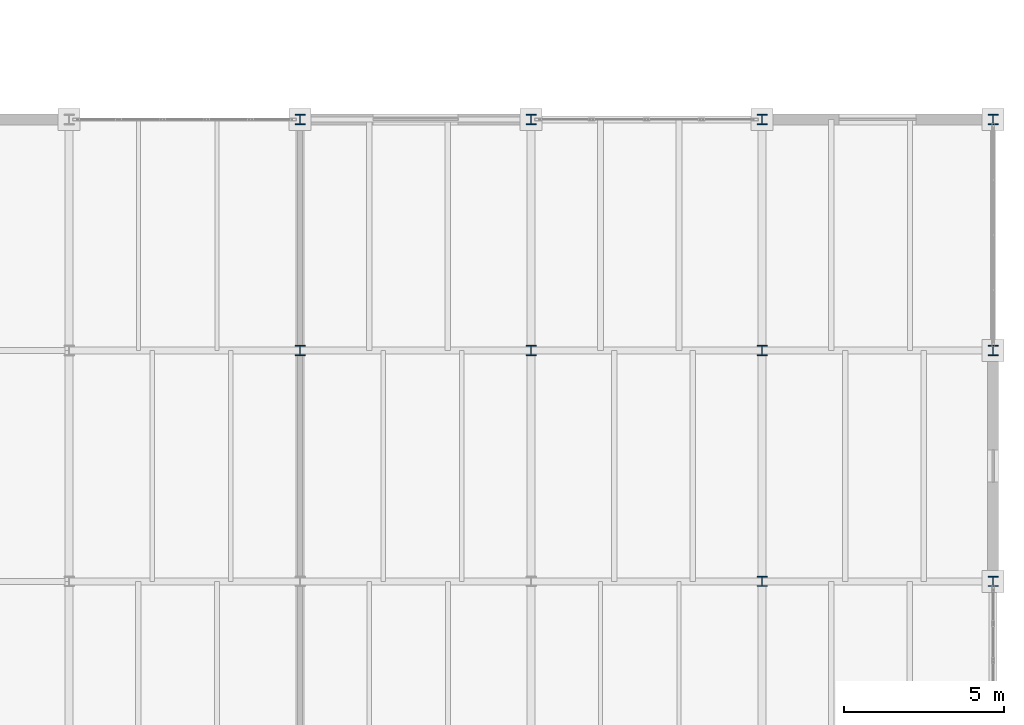
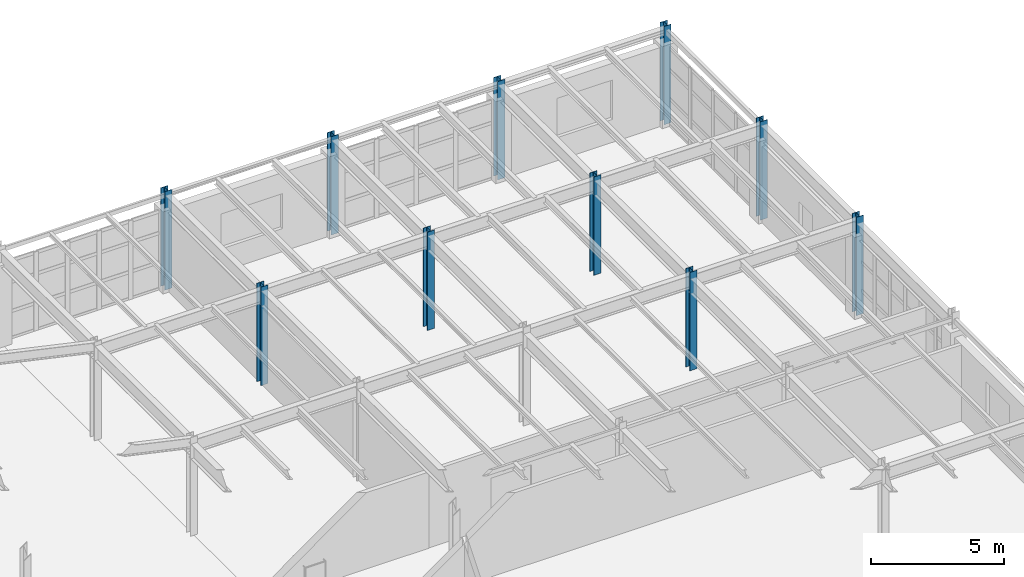
# One storey, part 18 of 137: 10 columns.
"""IFC4 building model written with IfcOpenShell, lengths in metres."""

from ifc_helpers import new_model, si_unit, direction, frame, origin, origin_2d, place, context, subcontext, project, spatial, i_section, extrude, material, material_profile, profile_set, type_object, element, save


model = new_model("IFC4")

# Units and contexts
model_context = context("Model", 3, precision=1e-05, world=origin(), true_north=direction((0.0, 1.0)))
body_context = subcontext(model_context, "Body", "Model", "MODEL_VIEW")
ifc_project = project(units=[si_unit("LENGTHUNIT", "METRE"), si_unit("AREAUNIT", "SQUARE_METRE"), si_unit("VOLUMEUNIT", "CUBIC_METRE"), si_unit("PLANEANGLEUNIT", "RADIAN"), si_unit("MASSUNIT", "GRAM", prefix="KILO")], contexts=[model_context])

# Site, building, storey
site_placement = place(None, origin())
site = spatial("IfcSite", under=ifc_project, at=site_placement, CompositionType="ELEMENT")
building_placement = place(site_placement, origin())
building = spatial("IfcBuilding", under=site, at=building_placement, Name="Kemerveld Promenade Tramway Depot", CompositionType="ELEMENT")
storey_placement = place(building_placement, frame((0.0, 0.0, 5.39990234375)))
storey = spatial("IfcBuildingStorey", under=building, at=storey_placement, Name="L01", CompositionType="ELEMENT", Elevation=5.39990234375)

# Columns
ifc_material = material(Name="Steel S355", Category="steel")
ifc_material_profile = material_profile(ifc_material, i_section(OverallWidth=0.307373046875, OverallDepth=0.314453125, WebThickness=0.011962890625, FlangeThickness=0.018798828125, FilletRadius=0.01513671875, at=origin_2d()), Name="305x305x118 UC")
ifc_profile_set = profile_set([ifc_material_profile], Name="Steel S355")
column_type = type_object("IfcColumnType", Name="COL-S06", PredefinedType="COLUMN", material=ifc_profile_set)
for number, where, z_axis, x_axis, name in (
    (1, (194.39990234375, 43.199951171875, 0.0), (0.0, 0.0, 1.0), (1.0, 0.0, 0.0), "COL-L01-28-G"),
    (2, (194.39990234375, 50.39990234375, 0.0), (0.0, 0.0, 1.0), (1.0, 0.0, 0.0), "COL-L01-28-H"),
    (3, (201.60009765625, 43.199951171875, 0.0), (0.0, 0.0, 1.0), (1.0, 0.0, 0.0), "COL-L01-29-G"),
    (4, (201.60009765625, 50.39990234375, 0.0), (0.0, 0.0, 1.0), (1.0, 0.0, 0.0), "COL-L01-29-H"),
    (5, (208.800048828125, 36.0, 0.0), (0.0, 0.0, 1.0), (1.0, 0.0, 0.0), "COL-L01-30-F"),
    (6, (208.800048828125, 43.199951171875, 0.0), (0.0, 0.0, 1.0), (1.0, 0.0, 0.0), "COL-L01-30-G"),
    (7, (208.800048828125, 50.39990234375, 0.0), (0.0, 0.0, 1.0), (1.0, 0.0, 0.0), "COL-L01-30-H"),
    (8, (216.0, 36.0, 0.0), (0.0, 0.0, 1.0), (1.0, 0.0, 0.0), "COL-L01-31-F"),
    (9, (216.0, 43.199951171875, 0.0), (0.0, 0.0, 1.0), (1.0, 0.0, 0.0), "COL-L01-31-G"),
    (10, (216.0, 50.39990234375, 0.0), (0.0, 0.0, 1.0), (1.0, 0.0, 0.0), "COL-L01-31-H"),
):
    element("IfcColumn", number, at=place(storey_placement, frame(where, z_axis=z_axis, x_axis=x_axis)), inside=storey, type_object=column_type, Name=name, PredefinedType="COLUMN", context=body_context, shape_type="SweptSolid", body=[
        extrude(i_section(OverallWidth=0.307373046875, OverallDepth=0.314453125, WebThickness=0.011962890625, FlangeThickness=0.018798828125, FilletRadius=0.01513671875, at=origin_2d()), origin(), (0.0, 0.0, 1.0), 4.5),
    ])

save(model, "model.ifc")
